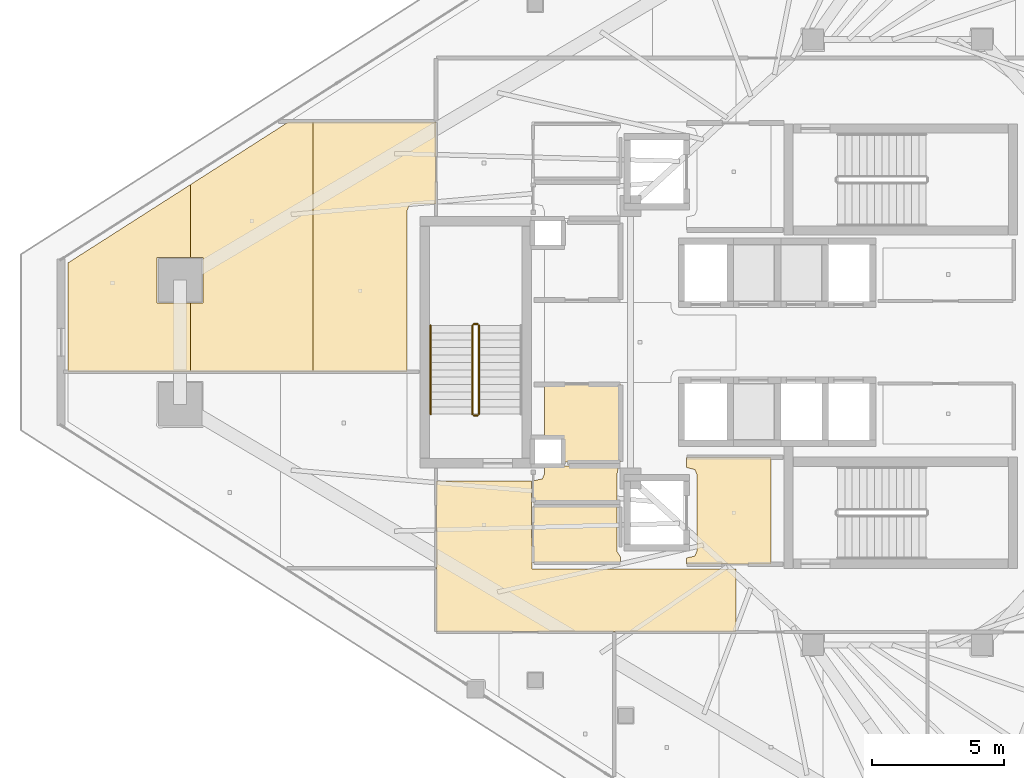
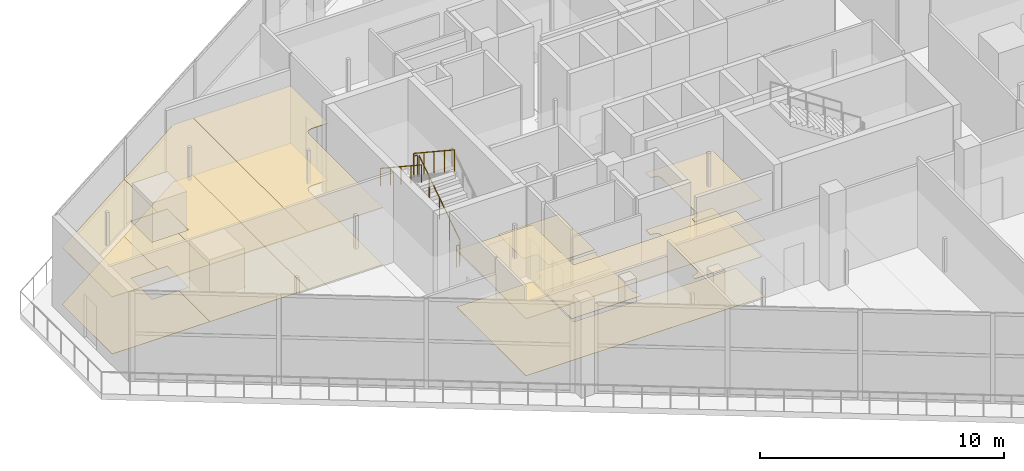
# One storey, part 31 of 36: 13 coverings, 5 railings.
"""IFC4 building model written with IfcOpenShell, lengths in metres."""

from ifc_helpers import new_model, si_unit, direction, frame, origin, origin_2d, place, context, subcontext, project, spatial, polyline, circle, outline, extrude, material, layer, layer_set, type_object, element, save


model = new_model("IFC4")

# Units and contexts
model_context = context("Model", 3, precision=1e-05, world=origin(), true_north=direction((0.0, 1.0)))
body_context = subcontext(model_context, "Body", "Model", "MODEL_VIEW")
ifc_project = project(units=[si_unit("LENGTHUNIT", "METRE"), si_unit("AREAUNIT", "SQUARE_METRE"), si_unit("VOLUMEUNIT", "CUBIC_METRE"), si_unit("PLANEANGLEUNIT", "RADIAN"), si_unit("MASSUNIT", "GRAM", prefix="KILO")], contexts=[model_context])

# Site, building, storey
site_placement = place(None, origin())
site = spatial("IfcSite", under=ifc_project, at=site_placement, CompositionType="ELEMENT")
building_placement = place(site_placement, origin())
building = spatial("IfcBuilding", under=site, at=building_placement, Name="Qorvath Tower", CompositionType="ELEMENT")
storey_placement = place(building_placement, frame((0.0, 0.0, 255.0)))
storey = spatial("IfcBuildingStorey", under=building, at=storey_placement, Name="L59", CompositionType="ELEMENT", Elevation=255.0)

# Coverings
ifc_material_1 = material(Name="Acoustic mineral fibre ceiling tile", Category="gypsum")
ifc_layer_1 = layer(ifc_material_1, 0.030029296875)
ifc_layer_set_1 = layer_set([ifc_layer_1], Name="COV-CEIL")
covering_type_1 = type_object("IfcCoveringType", Name="COV-CEIL", PredefinedType="CEILING", material=ifc_layer_set_1)
covering_1_placement = place(storey_placement, frame((0.0, 0.0, 2.85009765625)))
element("IfcCovering", 1, at=covering_1_placement, inside=storey, type_object=covering_type_1, Name="L59 Suspended Acoustic Ceiling 002", PredefinedType="CEILING", context=body_context, shape_type="SweptSolid", body=[
    extrude(outline(polyline([(-25.18994140625, -8.39501953125), (-25.18994140625, -4.35498046875), (-28.375, -4.35498046875), (-28.375, -4.739990234375), (-28.063232421875, -4.813232421875), (-27.989990234375, -4.989990234375), (-27.989990234375, -7.909912109375), (-28.063232421875, -8.086669921875), (-28.375, -8.159912109375), (-28.375, -8.39501953125), (-25.18994140625, -8.39501953125)])), origin(), (0.0, 0.0, 1.0), 0.030029296875),
])
covering_2_placement = place(storey_placement, frame((0.0, 0.0, 2.85009765625)))
element("IfcCovering", 2, at=covering_2_placement, inside=storey, type_object=covering_type_1, Name="L59 Suspended Acoustic Ceiling 011", PredefinedType="CEILING", context=body_context, shape_type="SweptSolid", body=[
    extrude(outline(polyline([(-34.22509765625, -8.580078125), (-34.251220703125, -5.239990234375), (-37.844970703125, -5.239990234375), (-37.844970703125, -10.945068359375), (-26.5107421875, -10.945068359375), (-26.5107421875, -8.574951171875), (-34.22509765625, -8.580078125)])), origin(), (0.0, 0.0, 1.0), 0.030029296875),
])
covering_3_placement = place(storey_placement, frame((0.0, 0.0, 2.85009765625)))
element("IfcCovering", 3, at=covering_3_placement, inside=storey, type_object=covering_type_1, Name="L59 Suspended Acoustic Ceiling 031", PredefinedType="CEILING", context=body_context, shape_type="SweptSolid", body=[
    extrude(outline(polyline([(-47.141845703125, -1.099853515625), (-47.141845703125, 1.482177734375), (-48.405029296875, 1.482177734375), (-48.405029296875, 3.217041015625), (-47.141845703125, 3.217041015625), (-47.141845703125, 5.9677734375), (-51.781005859375, 3.002685546875), (-51.781005859375, -1.099853515625), (-47.141845703125, -1.099853515625)])), origin(), (0.0, 0.0, 1.0), 0.030029296875),
])
covering_4_placement = place(storey_placement, frame((0.0, 0.0, 2.85009765625)))
element("IfcCovering", 4, at=covering_4_placement, inside=storey, type_object=covering_type_1, Name="L59 Suspended Acoustic Ceiling 032", PredefinedType="CEILING", context=body_context, shape_type="SweptSolid", body=[
    extrude(outline(polyline([(-42.50244140625, -1.099853515625), (-42.50244140625, 8.3369140625), (-43.434814453125, 8.3369140625), (-47.141845703125, 5.9677734375), (-47.141845703125, 3.217041015625), (-46.670166015625, 3.217041015625), (-46.670166015625, 1.482177734375), (-47.141845703125, 1.482177734375), (-47.141845703125, -1.099853515625), (-42.50244140625, -1.099853515625)])), origin(), (0.0, 0.0, 1.0), 0.030029296875),
])
covering_5_placement = place(storey_placement, frame((0.0, 0.0, 2.85009765625)))
element("IfcCovering", 5, at=covering_5_placement, inside=storey, type_object=covering_type_1, Name="L59 Suspended Acoustic Ceiling 033", PredefinedType="CEILING", context=body_context, shape_type="SweptSolid", body=[
    extrude(outline(polyline([(-37.863037109375, 5.239990234375), (-37.863037109375, 8.3369140625), (-42.50244140625, 8.3369140625), (-42.50244140625, -1.099853515625), (-38.949951171875, -1.099853515625), (-38.949951171875, 4.989990234375), (-38.876708984375, 5.166748046875), (-38.699951171875, 5.239990234375), (-37.863037109375, 5.239990234375)])), origin(), (0.0, 0.0, 1.0), 0.030029296875),
])
ifc_material_2 = material(Name="Low-VOC modular carpet tile", Category="textile")
ifc_layer_2 = layer(ifc_material_2, 0.014892578125)
ifc_layer_set_2 = layer_set([ifc_layer_2], Name="COV-FLOOR-CPT")
covering_type_2 = type_object("IfcCoveringType", Name="COV-FLOOR-CPT", PredefinedType="FLOORING", material=ifc_layer_set_2)
covering_6_placement = place(storey_placement, origin())
element("IfcCovering", 6, at=covering_6_placement, inside=storey, type_object=covering_type_2, Name="L59 Floor Finish 009", PredefinedType="FLOORING", context=body_context, shape_type="SweptSolid", body=[
    extrude(outline(polyline([(-33.760009765625, -4.68505859375), (-33.760009765625, -4.989990234375), (-33.833251953125, -5.166748046875), (-34.175048828125, -5.239990234375), (-34.175048828125, -6.054931640625), (-31.010009765625, -6.054931640625), (-31.010009765625, -4.989990234375), (-30.9599609375, -4.75), (-30.893310546875, -4.68994140625), (-33.760009765625, -4.68505859375)])), origin(), (0.0, 0.0, 1.0), 0.014892578125),
])
covering_7_placement = place(storey_placement, origin())
element("IfcCovering", 7, at=covering_7_placement, inside=storey, type_object=covering_type_2, Name="L59 Floor Finish 010", PredefinedType="FLOORING", context=body_context, shape_type="SweptSolid", body=[
    extrude(outline(polyline([(-30.885009765625, -4.534912109375), (-30.885009765625, -1.60498046875), (-33.760009765625, -1.60498046875), (-33.760009765625, -3.636962890625), (-33.08837890625, -3.638427734375), (-33.0869140625, -4.534912109375), (-30.885009765625, -4.534912109375)])), origin(), (0.0, 0.0, 1.0), 0.014892578125),
])
covering_8_placement = place(storey_placement, origin())
element("IfcCovering", 8, at=covering_8_placement, inside=storey, type_object=covering_type_2, Name="L59 Floor Finish 031", PredefinedType="FLOORING", context=body_context, shape_type="SweptSolid", body=[
    extrude(outline(polyline([(-47.141845703125, -1.099853515625), (-47.141845703125, 1.482177734375), (-48.405029296875, 1.482177734375), (-48.405029296875, 3.217041015625), (-47.141845703125, 3.217041015625), (-47.141845703125, 5.9677734375), (-51.781005859375, 3.002685546875), (-51.781005859375, -1.099853515625), (-47.141845703125, -1.099853515625)])), origin(), (0.0, 0.0, 1.0), 0.014892578125),
])
covering_9_placement = place(storey_placement, origin())
element("IfcCovering", 9, at=covering_9_placement, inside=storey, type_object=covering_type_2, Name="L59 Floor Finish 032", PredefinedType="FLOORING", context=body_context, shape_type="SweptSolid", body=[
    extrude(outline(polyline([(-42.50244140625, -1.099853515625), (-42.50244140625, 8.3369140625), (-43.434814453125, 8.3369140625), (-47.141845703125, 5.9677734375), (-47.141845703125, 3.217041015625), (-46.670166015625, 3.217041015625), (-46.670166015625, 1.482177734375), (-47.141845703125, 1.482177734375), (-47.141845703125, -1.099853515625), (-42.50244140625, -1.099853515625)])), origin(), (0.0, 0.0, 1.0), 0.014892578125),
])
covering_10_placement = place(storey_placement, origin())
element("IfcCovering", 10, at=covering_10_placement, inside=storey, type_object=covering_type_2, Name="L59 Floor Finish 033", PredefinedType="FLOORING", context=body_context, shape_type="SweptSolid", body=[
    extrude(outline(polyline([(-37.863037109375, 5.239990234375), (-37.863037109375, 8.3369140625), (-42.50244140625, 8.3369140625), (-42.50244140625, -1.099853515625), (-38.949951171875, -1.099853515625), (-38.949951171875, 4.989990234375), (-38.876708984375, 5.166748046875), (-38.699951171875, 5.239990234375), (-37.863037109375, 5.239990234375)])), origin(), (0.0, 0.0, 1.0), 0.014892578125),
])
ifc_material_3 = material(Name="Polished epoxy terrazzo flooring", Category="concrete")
ifc_layer_3 = layer(ifc_material_3, 0.02001953125)
ifc_layer_set_3 = layer_set([ifc_layer_3], Name="COV-FLOOR-TRZ")
covering_type_3 = type_object("IfcCoveringType", Name="COV-FLOOR-TRZ", PredefinedType="FLOORING", material=ifc_layer_set_3)
covering_11_placement = place(storey_placement, origin())
element("IfcCovering", 11, at=covering_11_placement, inside=storey, type_object=covering_type_3, Name="L59 Floor Finish 002", PredefinedType="FLOORING", context=body_context, shape_type="SweptSolid", body=[
    extrude(outline(polyline([(-25.18994140625, -8.39501953125), (-25.18994140625, -4.35498046875), (-28.375, -4.35498046875), (-28.375, -4.739990234375), (-28.063232421875, -4.813232421875), (-27.989990234375, -4.989990234375), (-27.989990234375, -7.909912109375), (-28.063232421875, -8.086669921875), (-28.375, -8.159912109375), (-28.375, -8.39501953125), (-25.18994140625, -8.39501953125)])), origin(), (0.0, 0.0, 1.0), 0.014892578125),
])
covering_12_placement = place(storey_placement, origin())
element("IfcCovering", 12, at=covering_12_placement, inside=storey, type_object=covering_type_3, Name="L59 Floor Finish 008", PredefinedType="FLOORING", context=body_context, shape_type="SweptSolid", body=[
    extrude(outline(polyline([(-30.885009765625, -8.344970703125), (-30.885009765625, -8.108154296875), (-31.010009765625, -7.909912109375), (-31.010009765625, -6.205078125), (-34.175048828125, -6.205078125), (-34.175048828125, -8.344970703125), (-30.885009765625, -8.344970703125)])), origin(), (0.0, 0.0, 1.0), 0.014892578125),
])
covering_13_placement = place(storey_placement, origin())
element("IfcCovering", 13, at=covering_13_placement, inside=storey, type_object=covering_type_3, Name="L59 Floor Finish 011", PredefinedType="FLOORING", context=body_context, shape_type="SweptSolid", body=[
    extrude(outline(polyline([(-34.22509765625, -8.580078125), (-34.251220703125, -5.239990234375), (-37.844970703125, -5.239990234375), (-37.844970703125, -10.945068359375), (-26.5107421875, -10.945068359375), (-26.5107421875, -8.574951171875), (-34.22509765625, -8.580078125)])), origin(), (0.0, 0.0, 1.0), 0.014892578125),
])

# Railings
ifc_material_4 = material(Name="Painted galvanised steel", Category="steel")
railing_type_1 = type_object("IfcRailingType", Name="RL-STR-GRD", PredefinedType="GUARDRAIL", material=ifc_material_4)
railing_1_placement = place(storey_placement, frame((-36.22998046875, -2.719970703125, 0.1845703125)))
element("IfcRailing", 14, at=railing_1_placement, inside=storey, type_object=railing_type_1, Name="L59 TS3 stair guard 1", PredefinedType="GUARDRAIL", context=body_context, shape_type="SweptSolid", body=[
    extrude(circle(Radius=0.02392578125, at=origin_2d()), frame((0.0, 0.0, 1.076171875), z_axis=(0.0, 0.834858096282, 0.550465220583), x_axis=(-1.0, 0.0, 0.0)), (0.0, 0.0, 1.0), 4.0244140625),
    extrude(circle(Radius=0.02099609375, at=origin_2d()), origin(), (0.0, 0.0, 1.0), 1.052001953125),
    extrude(circle(Radius=0.02099609375, at=origin_2d()), frame((0.0, 0.83984375, 0.5537109375)), (0.0, 0.0, 1.0), 1.052001953125),
    extrude(circle(Radius=0.02099609375, at=origin_2d()), frame((0.0, 1.679931640625, 1.107666015625)), (0.0, 0.0, 1.0), 1.052001953125),
    extrude(circle(Radius=0.02099609375, at=origin_2d()), frame((0.0, 2.52001953125, 1.66162109375)), (0.0, 0.0, 1.0), 1.052001953125),
    extrude(circle(Radius=0.02099609375, at=origin_2d()), frame((0.0, 3.35986328125, 2.21533203125)), (0.0, 0.0, 1.0), 1.052001953125),
])
railing_2_placement = place(storey_placement, frame((-36.280029296875, 0.68994140625, 2.39990234375)))
element("IfcRailing", 15, at=railing_2_placement, inside=storey, type_object=railing_type_1, Name="L59 TS3 stair guard 2", PredefinedType="GUARDRAIL", context=body_context, shape_type="SweptSolid", body=[
    extrude(circle(Radius=0.02392578125, at=origin_2d()), frame((0.0, 0.0, 1.076171875), z_axis=(-1.0, 0.0, 0.0), x_axis=(0.0, -1.0, 0.0)), (0.0, 0.0, 1.0), 0.14990234375),
    extrude(circle(Radius=0.02099609375, at=origin_2d()), origin(), (0.0, 0.0, 1.0), 1.052001953125),
    extrude(circle(Radius=0.02099609375, at=origin_2d()), frame((-0.14990234375, 0.0, 0.0)), (0.0, 0.0, 1.0), 1.052001953125),
])
railing_3_placement = place(storey_placement, frame((-36.47998046875, 0.639892578125, 2.584716796875)))
element("IfcRailing", 16, at=railing_3_placement, inside=storey, type_object=railing_type_1, Name="L59 TS3 stair guard 3", PredefinedType="GUARDRAIL", context=body_context, shape_type="SweptSolid", body=[
    extrude(circle(Radius=0.02392578125, at=origin_2d()), frame((0.0, 0.0, 1.076171875), z_axis=(0.0, -0.834858096282, 0.550465220583), x_axis=(1.0, 0.0, 0.0)), (0.0, 0.0, 1.0), 4.0244140625),
    extrude(circle(Radius=0.02099609375, at=origin_2d()), origin(), (0.0, 0.0, 1.0), 1.052001953125),
    extrude(circle(Radius=0.02099609375, at=origin_2d()), frame((0.0, -0.83984375, 0.5537109375)), (0.0, 0.0, 1.0), 1.052001953125),
    extrude(circle(Radius=0.02099609375, at=origin_2d()), frame((0.0, -1.679931640625, 1.107666015625)), (0.0, 0.0, 1.0), 1.052001953125),
    extrude(circle(Radius=0.02099609375, at=origin_2d()), frame((0.0, -2.52001953125, 1.66162109375)), (0.0, 0.0, 1.0), 1.052001953125),
    extrude(circle(Radius=0.02099609375, at=origin_2d()), frame((0.0, -3.35986328125, 2.21533203125)), (0.0, 0.0, 1.0), 1.052001953125),
])
railing_4_placement = place(storey_placement, frame((-36.280029296875, -2.77001953125, 0.0)))
element("IfcRailing", 17, at=railing_4_placement, inside=storey, type_object=railing_type_1, Name="L59 TS3 stair guard 4", PredefinedType="GUARDRAIL", context=body_context, shape_type="SweptSolid", body=[
    extrude(circle(Radius=0.02392578125, at=origin_2d()), frame((0.0, 0.0, 1.076171875), z_axis=(-1.0, 0.0, 0.0), x_axis=(0.0, -1.0, 0.0)), (0.0, 0.0, 1.0), 0.14990234375),
    extrude(circle(Radius=0.02099609375, at=origin_2d()), origin(), (0.0, 0.0, 1.0), 1.052001953125),
    extrude(circle(Radius=0.02099609375, at=origin_2d()), frame((-0.14990234375, 0.0, 0.0)), (0.0, 0.0, 1.0), 1.052001953125),
])
ifc_material_5 = material(Name="Brushed stainless steel AISI 304", Category="steel")
railing_type_2 = type_object("IfcRailingType", Name="RL-STR-HND", PredefinedType="HANDRAIL", material=ifc_material_5)
railing_5_placement = place(storey_placement, frame((-38.06005859375, 0.639892578125, 2.584716796875)))
element("IfcRailing", 18, at=railing_5_placement, inside=storey, type_object=railing_type_2, Name="L59 TS3 stair handrail 2", PredefinedType="HANDRAIL", context=body_context, shape_type="SweptSolid", body=[
    extrude(circle(Radius=0.02392578125, at=origin_2d()), frame((0.0, 0.0, 0.8759765625), z_axis=(0.0, -0.834858096282, 0.550465220583), x_axis=(1.0, 0.0, 0.0)), (0.0, 0.0, 1.0), 4.0244140625),
    extrude(circle(Radius=0.02099609375, at=origin_2d()), origin(), (0.0, 0.0, 1.0), 0.851806640625),
    extrude(circle(Radius=0.02099609375, at=origin_2d()), frame((0.0, -0.83984375, 0.5537109375)), (0.0, 0.0, 1.0), 0.851806640625),
    extrude(circle(Radius=0.02099609375, at=origin_2d()), frame((0.0, -1.679931640625, 1.107666015625)), (0.0, 0.0, 1.0), 0.851806640625),
    extrude(circle(Radius=0.02099609375, at=origin_2d()), frame((0.0, -2.52001953125, 1.66162109375)), (0.0, 0.0, 1.0), 0.851806640625),
    extrude(circle(Radius=0.02099609375, at=origin_2d()), frame((0.0, -3.35986328125, 2.21533203125)), (0.0, 0.0, 1.0), 0.851806640625),
])

save(model, "model.ifc")
